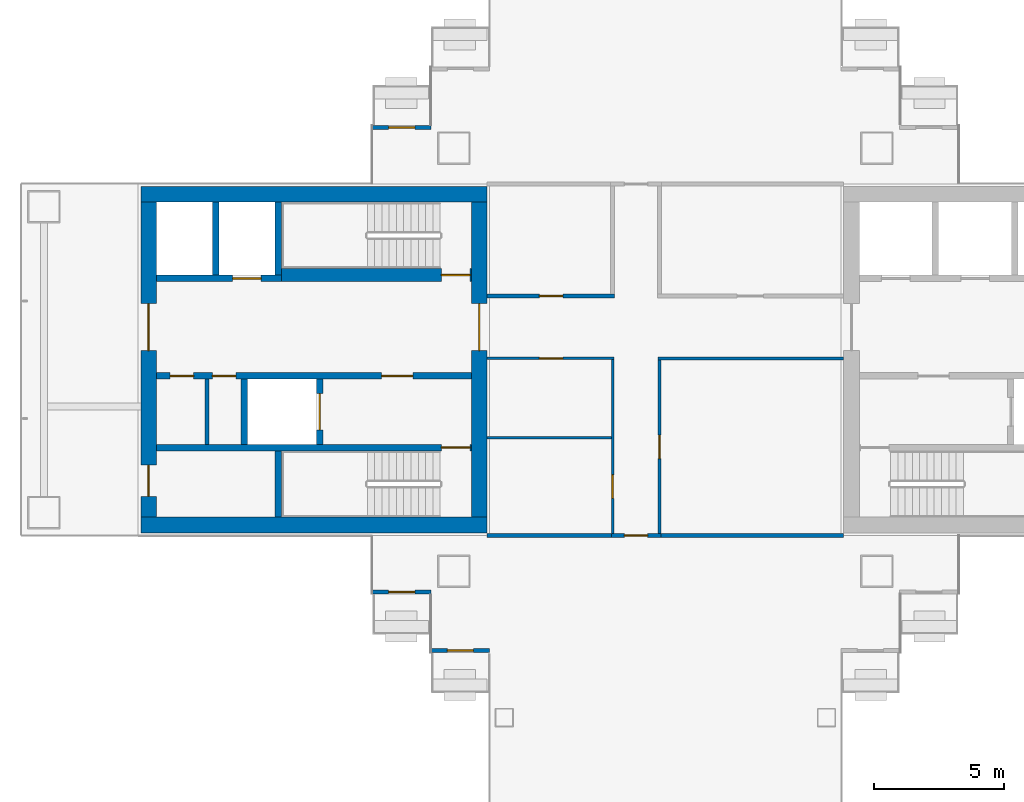
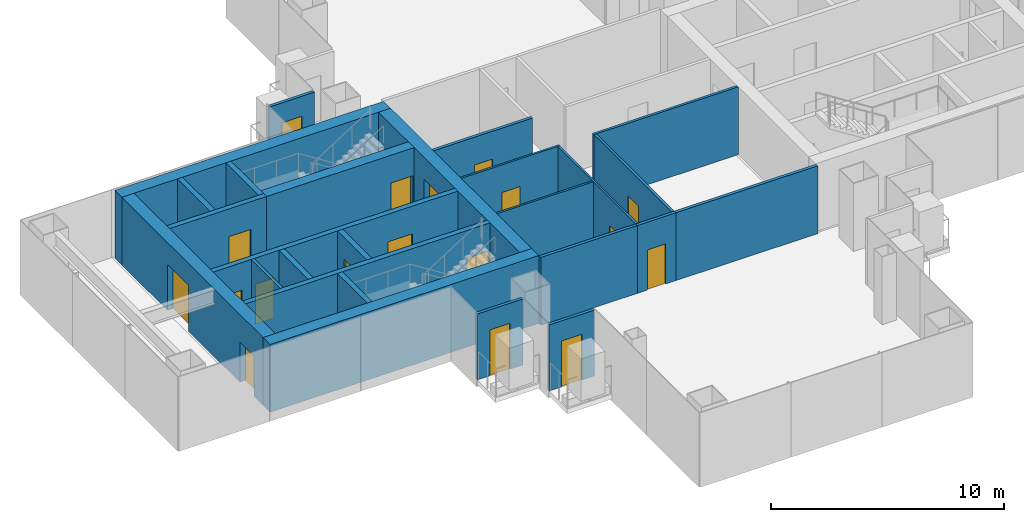
# One storey, part 11 of 19: 26 walls, 18 doors, 18 openings.
"""IFC4 building model written with IfcOpenShell, lengths in metres."""

import ifcopenshell
import ifcopenshell.guid

model = None  # the IFC model being written
_history = None  # IfcOwnerHistory: only IFC2X3 demands one
_inside = {}  # id of a spatial element -> (the spatial element, [elements in it])
_under = {}  # id of a project, library or spatial element -> (it, [spatial elements below it])
_declared = {}  # id of a project -> (the project, [libraries it declares])
_typed = {}  # id of a type object -> (the type object, [elements of that type])
_made_of = {}  # id of a material, layer set ... -> (it, [elements and type objects made of it])


def new_model(schema):
    """Start an empty IFC model of exactly this schema.

    Asked for "IFC4X3", IfcOpenShell would pick the latest addendum, in which some entities
    have other attributes; the version numbers below select the first issue.
    IFC2X3 requires an IfcOwnerHistory on every rooted entity: one is made here for all.
    """
    global model, _history
    if schema == "IFC4X3":
        model = ifcopenshell.file(schema_version=(4, 3, 0, 0))
    else:
        model = ifcopenshell.file(schema=schema)
    _inside.clear()
    _under.clear()
    _declared.clear()
    _typed.clear()
    _made_of.clear()
    _history = None
    if model.schema == "IFC2X3":
        org = make("IfcOrganization", Name="unknown")
        user = make(
            "IfcPersonAndOrganization",
            ThePerson=make("IfcPerson", FamilyName="unknown"),
            TheOrganization=org,
        )
        app = make(
            "IfcApplication",
            ApplicationDeveloper=org,
            Version="unknown",
            ApplicationFullName="unknown",
            ApplicationIdentifier="unknown",
        )
        _history = make(
            "IfcOwnerHistory",
            OwningUser=user,
            OwningApplication=app,
            ChangeAction="ADDED",
            CreationDate=0,
        )
    return model


def make(cls, **values):
    """One entity of the class cls with the attributes given. An attribute that is None is left unset."""
    return model.create_entity(
        cls, **{name: value for name, value in values.items() if value is not None}
    )


def rooted(cls, **values):
    """An entity with a GlobalId (a new one), such as an element, a storey or a relation."""
    return make(cls, GlobalId=ifcopenshell.guid.new(), OwnerHistory=_history, **values)


def si_unit(unit_type, name, prefix=None):
    """IfcSIUnit, for example si_unit("LENGTHUNIT", "METRE", prefix="MILLI")."""
    return make("IfcSIUnit", UnitType=unit_type, Prefix=prefix, Name=name)


def assignment(units):
    """IfcUnitAssignment: the units of a project."""
    return None if units is None else make("IfcUnitAssignment", Units=units)


def point(xyz):
    """IfcCartesianPoint."""
    return None if xyz is None else make("IfcCartesianPoint", Coordinates=xyz)


def direction(xyz):
    """IfcDirection."""
    return None if xyz is None else make("IfcDirection", DirectionRatios=xyz)


def frame(location, z_axis=None, x_axis=None):
    """IfcAxis2Placement3D, a coordinate frame: its origin and axes. An axis left out is left unset."""
    return make(
        "IfcAxis2Placement3D",
        Location=point(location),
        Axis=direction(z_axis),
        RefDirection=direction(x_axis),
    )


def frame_2d(location, x_axis=None):
    """IfcAxis2Placement2D, a coordinate frame in the plane: its origin and x axis."""
    return make(
        "IfcAxis2Placement2D", Location=point(location), RefDirection=direction(x_axis)
    )


def origin():
    """The frame at (0, 0, 0) with its axes left unset."""
    return frame((0.0, 0.0, 0.0))


def place(relative_to, where):
    """IfcLocalPlacement: puts the frame where relative to a parent placement (None: the world)."""
    return make(
        "IfcLocalPlacement", PlacementRelTo=relative_to, RelativePlacement=where
    )


def context(
    kind, dimensions, precision=None, world=None, true_north=None, identifier=None
):
    """IfcGeometricRepresentationContext, for example the 3D "Model" context."""
    return make(
        "IfcGeometricRepresentationContext",
        ContextIdentifier=identifier,
        ContextType=kind,
        CoordinateSpaceDimension=dimensions,
        Precision=precision,
        WorldCoordinateSystem=world,
        TrueNorth=true_north,
    )


def subcontext(parent, identifier, kind, view, scale=None):
    """IfcGeometricRepresentationSubContext, for example "Body" below "Model"."""
    return make(
        "IfcGeometricRepresentationSubContext",
        ContextIdentifier=identifier,
        ContextType=kind,
        ParentContext=parent,
        TargetScale=scale,
        TargetView=view,
    )


def project(units=None, contexts=None):
    """IfcProject with its units and contexts."""
    return rooted(
        "IfcProject",
        Name="project",
        RepresentationContexts=contexts,
        UnitsInContext=assignment(units),
    )


def spatial(cls, under=None, at=None, **own):
    """A site, building, storey or space (cls), placed at a placement, below another one or the project."""
    s = rooted(cls, ObjectPlacement=at, **own)
    if under is not None:
        _under.setdefault(under.id(), (under, []))[1].append(s)
    return s


def profile(cls, at=None, kind="AREA", **sizes):
    """A parametric profile (cls). Its sizes go by their IFC names, for example OverallWidth=200.0."""
    return make(cls, ProfileType=kind, Position=at, **sizes)


def rectangle(**sizes):
    """IfcRectangleProfileDef."""
    return profile("IfcRectangleProfileDef", **sizes)


def extrude(swept, where, along, depth):
    """IfcExtrudedAreaSolid: the profile swept, set in the frame where, extruded along a direction by depth."""
    return make(
        "IfcExtrudedAreaSolid",
        SweptArea=swept,
        Position=where,
        ExtrudedDirection=direction(along),
        Depth=depth,
    )


def shape(context_of_items, identifier, shape_type, items):
    """IfcShapeRepresentation: the items that make up one representation, for example the "Body"."""
    return make(
        "IfcShapeRepresentation",
        ContextOfItems=context_of_items,
        RepresentationIdentifier=identifier,
        RepresentationType=shape_type,
        Items=items,
    )


def material(Name=None, Category=None):
    """IfcMaterial."""
    return make("IfcMaterial", Name=Name, Category=Category)


def layer(
    of_material, thickness, ventilated=None, Name=None, Category=None, Priority=None
):
    """IfcMaterialLayer: one layer of a wall or slab, of a material (None: an air gap)."""
    return make(
        "IfcMaterialLayer",
        Material=of_material,
        LayerThickness=thickness,
        IsVentilated=ventilated,
        Name=Name,
        Category=Category,
        Priority=Priority,
    )


def layer_set(layers, Name=None):
    """IfcMaterialLayerSet."""
    return make("IfcMaterialLayerSet", MaterialLayers=layers, LayerSetName=Name)


def made_of(thing, what):
    """Note that an element or type object is made of a material, layer set ...; save() writes the relation."""
    if what is not None:
        _made_of.setdefault(what.id(), (what, []))[1].append(thing)
    return thing


def type_object(cls, material=None, **own):
    """A type object (cls), such as IfcWallType, which elements share."""
    return made_of(rooted(cls, **own), material)


def element(
    cls,
    number,
    at=None,
    inside=None,
    cuts=None,
    type_object=None,
    material=None,
    context=None,
    identifier="Body",
    shape_type=None,
    held_by="IfcProductDefinitionShape",
    body=None,
    shapes=None,
    **own,
):
    """One element of the class cls, such as IfcWall. Its Tag is "e" and its number.

    at: its placement. inside: the storey or other place that contains it. cuts: it is an
    opening in that element (IfcRelVoidsElement). A single representation is given by context,
    identifier, shape_type and body (its items); several are given by shapes. held_by: the class
    of the entity that holds the representations. save() writes the other relations.
    """
    e = rooted(cls, Tag="e%d" % number, ObjectPlacement=at, **own)
    if body is not None:
        shapes = [shape(context, identifier, shape_type, body)]
    if shapes is not None:
        e.Representation = make(held_by, Representations=shapes)
    if inside is not None:
        _inside.setdefault(inside.id(), (inside, []))[1].append(e)
    if cuts is not None:
        rooted(
            "IfcRelVoidsElement", RelatingBuildingElement=cuts, RelatedOpeningElement=e
        )
    if type_object is not None:
        _typed.setdefault(type_object.id(), (type_object, []))[1].append(e)
    return made_of(e, material)


def fill(opening, filler):
    """IfcRelFillsElement: the door or window that sits in an opening."""
    return rooted(
        "IfcRelFillsElement",
        RelatingOpeningElement=opening,
        RelatedBuildingElement=filler,
    )


def aggregate(whole, parts):
    """IfcRelAggregates: a whole, such as a stair, and the parts it consists of."""
    return rooted("IfcRelAggregates", RelatingObject=whole, RelatedObjects=parts)


def save(model, path):
    """Write the relations noted so far, then the file.

    IfcRelAggregates (storeys below a building ...), IfcRelContainedInSpatialStructure (elements
    in a storey), IfcRelDefinesByType, IfcRelAssociatesMaterial and IfcRelDeclares: one each for
    every whole, place, type object, material and project.
    """
    for whole, parts in _under.values():
        aggregate(whole, parts)
    for where, things in _inside.values():
        rooted(
            "IfcRelContainedInSpatialStructure",
            RelatedElements=things,
            RelatingStructure=where,
        )
    for kind, things in _typed.values():
        rooted("IfcRelDefinesByType", RelatedObjects=things, RelatingType=kind)
    for what, things in _made_of.values():
        rooted("IfcRelAssociatesMaterial", RelatedObjects=things, RelatingMaterial=what)
    for by, libraries in _declared.values():
        rooted("IfcRelDeclares", RelatingContext=by, RelatedDefinitions=libraries)
    model.write(path)


model = new_model("IFC4")

# Units and contexts
model_context = context("Model", 3, precision=1e-05, world=origin(), true_north=direction((0.0, 1.0)))
body_context = subcontext(model_context, "Body", "Model", "MODEL_VIEW")
ifc_project = project(units=[si_unit("LENGTHUNIT", "METRE"), si_unit("AREAUNIT", "SQUARE_METRE"), si_unit("VOLUMEUNIT", "CUBIC_METRE"), si_unit("PLANEANGLEUNIT", "RADIAN"), si_unit("MASSUNIT", "GRAM", prefix="KILO")], contexts=[model_context])

# Site, building, storey
site_placement = place(None, origin())
site = spatial("IfcSite", under=ifc_project, at=site_placement, CompositionType="ELEMENT")
building_placement = place(site_placement, origin())
building = spatial("IfcBuilding", under=site, at=building_placement, Name="Shamsa Quay Exchange Towers", CompositionType="ELEMENT")
storey_placement = place(building_placement, frame((0.0, 0.0, 85.800048828125)))
storey = spatial("IfcBuildingStorey", under=building, at=storey_placement, Name="L19", CompositionType="ELEMENT", Elevation=85.800048828125)

# Wall, opening, door
ifc_material_1 = material(Name="Aluminium EN AW-6063 T6, black anodised, with black enamelled glass infill", Category="aluminium")
ifc_layer_1 = layer(ifc_material_1, 0.14990234375)
ifc_layer_set_1 = layer_set([ifc_layer_1], Name="BALCONY DOOR BAY WALL 150")
wall_type_1 = type_object("IfcWallType", Name="BALCONY DOOR BAY WALL 150", PredefinedType="SOLIDWALL", material=ifc_layer_set_1)
wall_1_placement = place(storey_placement, frame((-45.0, 8.925048828125, 0.0)))
wall_1 = element("IfcWall", 1, at=wall_1_placement, inside=storey, type_object=wall_type_1, Name="Door bay T1-PKWN L19", PredefinedType="SOLIDWALL", context=body_context, shape_type="SweptSolid", body=[
    extrude(rectangle(XDim=2.25, YDim=0.14990234375, at=frame_2d((1.125, 0.0))), origin(), (0.0, 0.0, 1.0), 3.449951171875),
])
opening_1_placement = place(wall_1_placement, frame((0.625, 0.0, 0.0)))
opening_1 = element("IfcOpeningElement", 2, at=opening_1_placement, cuts=wall_1, Name="Opening XD118", PredefinedType="OPENING", context=body_context, shape_type="SweptSolid", body=[
    extrude(rectangle(XDim=1.0, YDim=2.39990234375, at=frame_2d((0.5, 1.199951171875))), frame((0.0, 0.0849609375, 0.0), z_axis=(0.0, -1.0, 0.0), x_axis=(1.0, 0.0, 0.0)), (0.0, 0.0, 1.0), 0.169921875),
])
ifc_material_2 = material(Name="Aluminium EN AW-6063 T6, black anodised, with laminated glass leaf", Category="aluminium")
door_type_1 = type_object("IfcDoorType", Name="BALCONY DOOR 1000x2400", OperationType="SINGLE_SWING_LEFT", PredefinedType="DOOR", material=ifc_material_2)
door_1_placement = place(opening_1_placement, origin())
door_1 = element("IfcDoor", 3, at=door_1_placement, inside=storey, type_object=door_type_1, Name="Balcony door T1-PKWN L19", OperationType="SINGLE_SWING_RIGHT", OverallHeight=2.39990234375, OverallWidth=1.0, PredefinedType="DOOR", context=body_context, shape_type="SweptSolid", body=[
    extrude(rectangle(XDim=1.0, YDim=2.39990234375, at=frame_2d((0.5, 1.199951171875))), frame((0.0, 0.02490234375, 0.0), z_axis=(0.0, -1.0, 0.0), x_axis=(1.0, 0.0, 0.0)), (0.0, 0.0, 1.0), 0.050048828125),
])
fill(opening_1, door_1)

wall_2_placement = place(storey_placement, frame((-42.75, -8.925048828125, 0.0), z_axis=(0.0, 0.0, 1.0), x_axis=(-1.0, 0.0, 0.0)))
wall_2 = element("IfcWall", 4, at=wall_2_placement, inside=storey, type_object=wall_type_1, Name="Door bay T1-PKWS L19", PredefinedType="SOLIDWALL", context=body_context, shape_type="SweptSolid", body=[
    extrude(rectangle(XDim=2.25, YDim=0.14990234375, at=frame_2d((1.125, 0.0))), origin(), (0.0, 0.0, 1.0), 3.449951171875),
])
opening_2_placement = place(wall_2_placement, frame((0.625, 0.0, 0.0)))
opening_2 = element("IfcOpeningElement", 5, at=opening_2_placement, cuts=wall_2, Name="Opening XD119", PredefinedType="OPENING", context=body_context, shape_type="SweptSolid", body=[
    extrude(rectangle(XDim=1.0, YDim=2.39990234375, at=frame_2d((0.5, 1.199951171875))), frame((0.0, 0.0849609375, 0.0), z_axis=(0.0, -1.0, 0.0), x_axis=(1.0, 0.0, 0.0)), (0.0, 0.0, 1.0), 0.169921875),
])
door_2_placement = place(opening_2_placement, origin())
door_2 = element("IfcDoor", 6, at=door_2_placement, inside=storey, type_object=door_type_1, Name="Balcony door T1-PKWS L19", OperationType="SINGLE_SWING_LEFT", OverallHeight=2.39990234375, OverallWidth=1.0, PredefinedType="DOOR", context=body_context, shape_type="SweptSolid", body=[
    extrude(rectangle(XDim=1.0, YDim=2.39990234375, at=frame_2d((0.5, 1.199951171875))), frame((0.0, 0.02490234375, 0.0), z_axis=(0.0, -1.0, 0.0), x_axis=(1.0, 0.0, 0.0)), (0.0, 0.0, 1.0), 0.050048828125),
])
fill(opening_2, door_2)

wall_3_placement = place(storey_placement, frame((-40.5, -11.175048828125, 0.0), z_axis=(0.0, 0.0, 1.0), x_axis=(-1.0, 0.0, 0.0)))
wall_3 = element("IfcWall", 7, at=wall_3_placement, inside=storey, type_object=wall_type_1, Name="Door bay T1-PKWS L19", PredefinedType="SOLIDWALL", context=body_context, shape_type="SweptSolid", body=[
    extrude(rectangle(XDim=2.25, YDim=0.14990234375, at=frame_2d((1.125, 0.0))), origin(), (0.0, 0.0, 1.0), 3.449951171875),
])
opening_3_placement = place(wall_3_placement, frame((0.625, 0.0, 0.0)))
opening_3 = element("IfcOpeningElement", 8, at=opening_3_placement, cuts=wall_3, Name="Opening XD120", PredefinedType="OPENING", context=body_context, shape_type="SweptSolid", body=[
    extrude(rectangle(XDim=1.0, YDim=2.39990234375, at=frame_2d((0.5, 1.199951171875))), frame((0.0, 0.0849609375, 0.0), z_axis=(0.0, -1.0, 0.0), x_axis=(1.0, 0.0, 0.0)), (0.0, 0.0, 1.0), 0.169921875),
])
door_3_placement = place(opening_3_placement, origin())
door_3 = element("IfcDoor", 9, at=door_3_placement, inside=storey, type_object=door_type_1, Name="Balcony door T1-PKWS L19", OperationType="SINGLE_SWING_RIGHT", OverallHeight=2.39990234375, OverallWidth=1.0, PredefinedType="DOOR", context=body_context, shape_type="SweptSolid", body=[
    extrude(rectangle(XDim=1.0, YDim=2.39990234375, at=frame_2d((0.5, 1.199951171875))), frame((0.0, 0.02490234375, 0.0), z_axis=(0.0, -1.0, 0.0), x_axis=(1.0, 0.0, 0.0)), (0.0, 0.0, 1.0), 0.050048828125),
])
fill(opening_3, door_3)

# Walls
ifc_material_3 = material(Name="Concrete C70/85", Category="concrete")
ifc_layer_2 = layer(ifc_material_3, 0.60009765625)
ifc_layer_set_2 = layer_set([ifc_layer_2], Name="CORE WALL 600 C70/85")
wall_type_2 = type_object("IfcWallType", Name="CORE WALL 600 C70/85", PredefinedType="SHEAR", material=ifc_layer_set_2)
for number, where, z_axis, x_axis, name in (
    (10, (-40.60009765625, -6.35009765625, 0.0), (0.0, 0.0, 1.0), (-1.0, 0.0, 0.0), "Core wall T1B-R08-PS"),
    (11, (-40.60009765625, 6.35009765625, 0.0), (0.0, 0.0, 1.0), (-1.0, 0.0, 0.0), "Core wall T1B-R08-PN"),
):
    element("IfcWall", number, at=place(storey_placement, frame(where, z_axis=z_axis, x_axis=x_axis)), inside=storey, type_object=wall_type_2, Name=name, PredefinedType="SHEAR", context=body_context, shape_type="SweptSolid", body=[
        extrude(rectangle(XDim=13.2998046875, YDim=0.60009765625, at=frame_2d((6.64990234375, 0.0))), origin(), (0.0, 0.0, 1.0), 3.550048828125),
    ])

# Wall, opening, door
wall_4_placement = place(storey_placement, frame((-40.89990234375, -6.050048828125, 0.0), z_axis=(0.0, 0.0, 1.0), x_axis=(0.0, 1.0, 0.0)))
wall_4 = element("IfcWall", 12, at=wall_4_placement, inside=storey, type_object=wall_type_2, Name="Core wall T1B-R08-PF", PredefinedType="SHEAR", context=body_context, shape_type="SweptSolid", body=[
    extrude(rectangle(XDim=12.10009765625, YDim=0.60009765625, at=frame_2d((6.050048828125, 0.0))), origin(), (0.0, 0.0, 1.0), 3.550048828125),
])
opening_4_placement = place(wall_4_placement, frame((6.39990234375, 0.0, 0.0)))
opening_4 = element("IfcOpeningElement", 13, at=opening_4_placement, cuts=wall_4, Name="Opening T1B-R08-LBD01", PredefinedType="OPENING", context=body_context, shape_type="SweptSolid", body=[
    extrude(rectangle(XDim=1.800048828125, YDim=2.39990234375, at=frame_2d((0.89990234375, 1.199951171875))), frame((0.0, 0.31005859375, 0.0), z_axis=(0.0, -1.0, 0.0), x_axis=(1.0, 0.0, 0.0)), (0.0, 0.0, 1.0), 0.6201171875),
])
ifc_material_4 = material(Name="Steel, fire rated", Category="steel")
door_type_2 = type_object("IfcDoorType", Name="LIFT LOBBY DOOR PAIR 1800", OperationType="DOUBLE_DOOR_SINGLE_SWING", PredefinedType="DOOR", material=ifc_material_4)
door_4_placement = place(opening_4_placement, origin())
door_4 = element("IfcDoor", 14, at=door_4_placement, inside=storey, type_object=door_type_2, Name="T1B-R08-LBD01", OperationType="DOUBLE_DOOR_SINGLE_SWING", OverallHeight=2.39990234375, OverallWidth=1.800048828125, PredefinedType="DOOR", context=body_context, shape_type="SweptSolid", body=[
    extrude(rectangle(XDim=1.800048828125, YDim=2.39990234375, at=frame_2d((0.89990234375, 1.199951171875))), frame((0.0, 0.02490234375, 0.0), z_axis=(0.0, -1.0, 0.0), x_axis=(1.0, 0.0, 0.0)), (0.0, 0.0, 1.0), 0.050048828125),
])
fill(opening_4, door_4)

# Wall, openings, doors
wall_5_placement = place(storey_placement, frame((-53.60009765625, -6.050048828125, 0.0), z_axis=(0.0, 0.0, 1.0), x_axis=(0.0, 1.0, 0.0)))
wall_5 = element("IfcWall", 15, at=wall_5_placement, inside=storey, type_object=wall_type_2, Name="Core wall T1B-R08-PB", PredefinedType="SHEAR", context=body_context, shape_type="SweptSolid", body=[
    extrude(rectangle(XDim=12.10009765625, YDim=0.60009765625, at=frame_2d((6.050048828125, 0.0))), origin(), (0.0, 0.0, 1.0), 3.550048828125),
])
opening_5_placement = place(wall_5_placement, frame((0.800048828125, 0.0, 0.0)))
opening_5 = element("IfcOpeningElement", 16, at=opening_5_placement, cuts=wall_5, Name="Opening T1B-R08-RD02", PredefinedType="OPENING", context=body_context, shape_type="SweptSolid", body=[
    extrude(rectangle(XDim=1.199951171875, YDim=2.10009765625, at=frame_2d((0.60009765625, 1.050048828125))), frame((0.0, 0.31005859375, 0.0), z_axis=(0.0, -1.0, 0.0), x_axis=(1.0, 0.0, 0.0)), (0.0, 0.0, 1.0), 0.6201171875),
])
opening_6_placement = place(wall_5_placement, frame((6.39990234375, 0.0, 0.0)))
opening_6 = element("IfcOpeningElement", 17, at=opening_6_placement, cuts=wall_5, Name="Opening T1B-R08-LBD03", PredefinedType="OPENING", context=body_context, shape_type="SweptSolid", body=[
    extrude(rectangle(XDim=1.800048828125, YDim=2.39990234375, at=frame_2d((0.89990234375, 1.199951171875))), frame((0.0, 0.31005859375, 0.0), z_axis=(0.0, -1.0, 0.0), x_axis=(1.0, 0.0, 0.0)), (0.0, 0.0, 1.0), 0.6201171875),
])
door_5_placement = place(opening_6_placement, origin())
door_5 = element("IfcDoor", 18, at=door_5_placement, inside=storey, type_object=door_type_2, Name="T1B-R08-LBD03", OperationType="DOUBLE_DOOR_SINGLE_SWING", OverallHeight=2.39990234375, OverallWidth=1.800048828125, PredefinedType="DOOR", context=body_context, shape_type="SweptSolid", body=[
    extrude(rectangle(XDim=1.800048828125, YDim=2.39990234375, at=frame_2d((0.89990234375, 1.199951171875))), frame((0.0, 0.02490234375, 0.0), z_axis=(0.0, -1.0, 0.0), x_axis=(1.0, 0.0, 0.0)), (0.0, 0.0, 1.0), 0.050048828125),
])
fill(opening_6, door_5)
door_type_3 = type_object("IfcDoorType", Name="RISER ACCESS DOOR 1200", OperationType="SINGLE_SWING_LEFT", PredefinedType="DOOR", material=ifc_material_4)
door_6_placement = place(opening_5_placement, origin())
door_6 = element("IfcDoor", 19, at=door_6_placement, inside=storey, type_object=door_type_3, Name="T1B-R08-RD02", OperationType="SINGLE_SWING_LEFT", OverallHeight=2.10009765625, OverallWidth=1.199951171875, PredefinedType="DOOR", context=body_context, shape_type="SweptSolid", body=[
    extrude(rectangle(XDim=1.199951171875, YDim=2.10009765625, at=frame_2d((0.60009765625, 1.050048828125))), frame((0.0, 0.02490234375, 0.0), z_axis=(0.0, -1.0, 0.0), x_axis=(1.0, 0.0, 0.0)), (0.0, 0.0, 1.0), 0.050048828125),
])
fill(opening_5, door_6)

# Walls
ifc_material_5 = material(Name="Gypsum board on steel studs, EI 60", Category="steel")
ifc_layer_3 = layer(ifc_material_5, 0.14990234375)
ifc_layer_set_3 = layer_set([ifc_layer_3], Name="FIRE PARTITION 150")
wall_type_3 = type_object("IfcWallType", Name="FIRE PARTITION 150", PredefinedType="PARTITIONING", material=ifc_layer_set_3)
wall_6_placement = place(storey_placement, frame((-51.35009765625, -3.25, 0.0), z_axis=(0.0, 0.0, 1.0), x_axis=(0.0, 1.0, 0.0)))
element("IfcWall", 20, at=wall_6_placement, inside=storey, type_object=wall_type_3, Name="Partition T1B-R08-EC0", PredefinedType="PARTITIONING", context=body_context, shape_type="SweptSolid", body=[
    extrude(rectangle(XDim=2.5, YDim=0.14990234375, at=frame_2d((1.25, 0.0))), origin(), (0.0, 0.0, 1.0), 3.550048828125),
])
ifc_material_6 = material(Name="Laminated fire-resisting glass in a metal frame", Category="glass")
ifc_layer_4 = layer(ifc_material_6, 0.125)
ifc_layer_set_4 = layer_set([ifc_layer_4], Name="Glazed partition 125 mm EI 60")
wall_type_4 = type_object("IfcWallType", Name="Glazed partition 125 mm EI 60", PredefinedType="PARTITIONING", material=ifc_layer_set_4)
wall_7_placement = place(storey_placement, frame((-26.89990234375, 0.0498046875, 0.0), z_axis=(0.0, 0.0, 1.0), x_axis=(-1.0, 0.0, 0.0)))
element("IfcWall", 21, at=wall_7_placement, inside=storey, type_object=wall_type_4, Name="Partition T1-R08-W04", PredefinedType="PARTITIONING", context=body_context, shape_type="SweptSolid", body=[
    extrude(rectangle(XDim=7.13720703125, YDim=0.125, at=frame_2d((3.568603515625, 0.0))), origin(), (0.0, 0.0, 1.0), 3.550048828125),
])

# Wall, opening, door
wall_8_placement = place(storey_placement, frame((-33.974609375, -0.0126953125, 0.0), z_axis=(0.0, 0.0, 1.0), x_axis=(0.0, -1.0, 0.0)))
wall_8 = element("IfcWall", 22, at=wall_8_placement, inside=storey, type_object=wall_type_4, Name="Partition T1-R08-W05", PredefinedType="PARTITIONING", context=body_context, shape_type="SweptSolid", body=[
    extrude(rectangle(XDim=6.662353515625, YDim=0.125, at=frame_2d((3.3310546875, 0.0))), origin(), (0.0, 0.0, 1.0), 3.550048828125),
])
opening_7_placement = place(wall_8_placement, frame((2.887451171875, 0.0, 0.0)))
opening_7 = element("IfcOpeningElement", 23, at=opening_7_placement, cuts=wall_8, Name="Opening T1-R08-D06", PredefinedType="OPENING", context=body_context, shape_type="SweptSolid", body=[
    extrude(rectangle(XDim=0.89990234375, YDim=2.10009765625, at=frame_2d((0.449951171875, 1.050048828125))), frame((0.0, 0.072509765625, 0.0), z_axis=(0.0, -1.0, 0.0), x_axis=(1.0, 0.0, 0.0)), (0.0, 0.0, 1.0), 0.14501953125),
])
ifc_material_7 = material(Name="Timber door leaf in a metal frame", Category="wood")
door_type_4 = type_object("IfcDoorType", Name="Door 900x2100 FD30S", OperationType="NOTDEFINED", PredefinedType="DOOR", material=ifc_material_7)
door_7_placement = place(opening_7_placement, origin())
door_7 = element("IfcDoor", 24, at=door_7_placement, inside=storey, type_object=door_type_4, Name="Door T1-R08-D06", OperationType="SINGLE_SWING_RIGHT", OverallHeight=2.10009765625, OverallWidth=0.89990234375, PredefinedType="DOOR", context=body_context, shape_type="SweptSolid", body=[
    extrude(rectangle(XDim=0.89990234375, YDim=2.10009765625, at=frame_2d((0.449951171875, 1.050048828125))), frame((0.0, 0.02490234375, 0.0), z_axis=(0.0, -1.0, 0.0), x_axis=(1.0, 0.0, 0.0)), (0.0, 0.0, 1.0), 0.050048828125),
])
fill(opening_7, door_7)

ifc_material_8 = material(Name="Gypsum board partition on metal studs")
ifc_layer_5 = layer(ifc_material_8, 0.10009765625)
ifc_layer_set_5 = layer_set([ifc_layer_5], Name="Partition 100 mm NOT RATED")
wall_type_5 = type_object("IfcWallType", Name="Partition 100 mm NOT RATED", PredefinedType="PARTITIONING", material=ifc_layer_set_5)
wall_9_placement = place(storey_placement, frame((-35.775390625, -6.675048828125, 0.0), z_axis=(0.0, 0.0, 1.0), x_axis=(0.0, 1.0, 0.0)))
wall_9 = element("IfcWall", 25, at=wall_9_placement, inside=storey, type_object=wall_type_5, Name="Partition T1-R08-W07", PredefinedType="PARTITIONING", context=body_context, shape_type="SweptSolid", body=[
    extrude(rectangle(XDim=6.6748046875, YDim=0.10009765625, at=frame_2d((3.33740234375, 0.0))), origin(), (0.0, 0.0, 1.0), 3.550048828125),
])
opening_8_placement = place(wall_9_placement, frame((1.35009765625, 0.0, 0.0)))
opening_8 = element("IfcOpeningElement", 26, at=opening_8_placement, cuts=wall_9, Name="Opening T1-R08-D02", PredefinedType="OPENING", context=body_context, shape_type="SweptSolid", body=[
    extrude(rectangle(XDim=0.89990234375, YDim=2.10009765625, at=frame_2d((0.449951171875, 1.050048828125))), frame((0.0, 0.06005859375, 0.0), z_axis=(0.0, -1.0, 0.0), x_axis=(1.0, 0.0, 0.0)), (0.0, 0.0, 1.0), 0.1201171875),
])
door_type_5 = type_object("IfcDoorType", Name="Door 900x2100 NOT RATED", OperationType="NOTDEFINED", PredefinedType="DOOR", material=ifc_material_7)
door_8_placement = place(opening_8_placement, origin())
door_8 = element("IfcDoor", 27, at=door_8_placement, inside=storey, type_object=door_type_5, Name="Door T1-R08-D02", OperationType="SINGLE_SWING_RIGHT", OverallHeight=2.10009765625, OverallWidth=0.89990234375, PredefinedType="DOOR", context=body_context, shape_type="SweptSolid", body=[
    extrude(rectangle(XDim=0.89990234375, YDim=2.10009765625, at=frame_2d((0.449951171875, 1.050048828125))), frame((0.0, 0.02490234375, 0.0), z_axis=(0.0, -1.0, 0.0), x_axis=(1.0, 0.0, 0.0)), (0.0, 0.0, 1.0), 0.050048828125),
])
fill(opening_8, door_8)

wall_10_placement = place(storey_placement, frame((-35.725341796875, 0.0498046875, 0.0), z_axis=(0.0, 0.0, 1.0), x_axis=(-1.0, 0.0, 0.0)))
wall_10 = element("IfcWall", 28, at=wall_10_placement, inside=storey, type_object=wall_type_5, Name="Partition T1-R08-W08", PredefinedType="PARTITIONING", context=body_context, shape_type="SweptSolid", body=[
    extrude(rectangle(XDim=4.874755859375, YDim=0.10009765625, at=frame_2d((2.4375, 0.0))), origin(), (0.0, 0.0, 1.0), 3.550048828125),
])
opening_9_placement = place(wall_10_placement, frame((1.96240234375, 0.0, 0.0)))
opening_9 = element("IfcOpeningElement", 29, at=opening_9_placement, cuts=wall_10, Name="Opening T1-R08-D03", PredefinedType="OPENING", context=body_context, shape_type="SweptSolid", body=[
    extrude(rectangle(XDim=0.89990234375, YDim=2.10009765625, at=frame_2d((0.449951171875, 1.050048828125))), frame((0.0, 0.06005859375, 0.0), z_axis=(0.0, -1.0, 0.0), x_axis=(1.0, 0.0, 0.0)), (0.0, 0.0, 1.0), 0.1201171875),
])
door_9_placement = place(opening_9_placement, origin())
door_9 = element("IfcDoor", 30, at=door_9_placement, inside=storey, type_object=door_type_5, Name="Door T1-R08-D03", OperationType="SINGLE_SWING_RIGHT", OverallHeight=2.10009765625, OverallWidth=0.89990234375, PredefinedType="DOOR", context=body_context, shape_type="SweptSolid", body=[
    extrude(rectangle(XDim=0.89990234375, YDim=2.10009765625, at=frame_2d((0.449951171875, 1.050048828125))), frame((0.0, 0.02490234375, 0.0), z_axis=(0.0, -1.0, 0.0), x_axis=(1.0, 0.0, 0.0)), (0.0, 0.0, 1.0), 0.050048828125),
])
fill(opening_9, door_9)

# Wall
wall_11_placement = place(storey_placement, frame((-35.825439453125, -3.0, 0.0), z_axis=(0.0, 0.0, 1.0), x_axis=(-1.0, 0.0, 0.0)))
element("IfcWall", 31, at=wall_11_placement, inside=storey, type_object=wall_type_5, Name="Partition T1-R08-W16", PredefinedType="PARTITIONING", context=body_context, shape_type="SweptSolid", body=[
    extrude(rectangle(XDim=4.774658203125, YDim=0.10009765625, at=frame_2d((2.38720703125, 0.0))), origin(), (0.0, 0.0, 1.0), 3.550048828125),
])

# Wall, opening, door
ifc_layer_6 = layer(ifc_material_8, 0.14990234375)
ifc_layer_set_6 = layer_set([ifc_layer_6], Name="Partition 150 mm EI 60")
wall_type_6 = type_object("IfcWallType", Name="Partition 150 mm EI 60", PredefinedType="PARTITIONING", material=ifc_layer_set_6)
wall_12_placement = place(storey_placement, frame((-40.60009765625, 2.4501953125, 0.0)))
wall_12 = element("IfcWall", 32, at=wall_12_placement, inside=storey, type_object=wall_type_6, Name="Partition T1-R08-W02", PredefinedType="PARTITIONING", context=body_context, shape_type="SweptSolid", body=[
    extrude(rectangle(XDim=4.899658203125, YDim=0.14990234375, at=frame_2d((2.44970703125, 0.0))), origin(), (0.0, 0.0, 1.0), 3.550048828125),
])
opening_10_placement = place(wall_12_placement, frame((2.01220703125, 0.0, 0.0)))
opening_10 = element("IfcOpeningElement", 33, at=opening_10_placement, cuts=wall_12, Name="Opening T1-R08-D01", PredefinedType="OPENING", context=body_context, shape_type="SweptSolid", body=[
    extrude(rectangle(XDim=0.89990234375, YDim=2.10009765625, at=frame_2d((0.449951171875, 1.050048828125))), frame((0.0, 0.0849609375, 0.0), z_axis=(0.0, -1.0, 0.0), x_axis=(1.0, 0.0, 0.0)), (0.0, 0.0, 1.0), 0.169921875),
])
door_10_placement = place(opening_10_placement, origin())
door_10 = element("IfcDoor", 34, at=door_10_placement, inside=storey, type_object=door_type_4, Name="Door T1-R08-D01", OperationType="SINGLE_SWING_LEFT", OverallHeight=2.10009765625, OverallWidth=0.89990234375, PredefinedType="DOOR", context=body_context, shape_type="SweptSolid", body=[
    extrude(rectangle(XDim=0.89990234375, YDim=2.10009765625, at=frame_2d((0.449951171875, 1.050048828125))), frame((0.0, 0.02490234375, 0.0), z_axis=(0.0, -1.0, 0.0), x_axis=(1.0, 0.0, 0.0)), (0.0, 0.0, 1.0), 0.050048828125),
])
fill(opening_10, door_10)

wall_13_placement = place(storey_placement, frame((-33.912109375, -6.75, 0.0), z_axis=(0.0, 0.0, 1.0), x_axis=(-1.0, 0.0, 0.0)))
wall_13 = element("IfcWall", 35, at=wall_13_placement, inside=storey, type_object=wall_type_6, Name="Partition T1-R08-W10", PredefinedType="PARTITIONING", context=body_context, shape_type="SweptSolid", body=[
    extrude(rectangle(XDim=1.913330078125, YDim=0.14990234375, at=frame_2d((0.95654296875, 0.0))), origin(), (0.0, 0.0, 1.0), 3.550048828125),
])
opening_11_placement = place(wall_13_placement, frame((0.512939453125, 0.0, 0.0)))
opening_11 = element("IfcOpeningElement", 36, at=opening_11_placement, cuts=wall_13, Name="Opening T1-R08-D05", PredefinedType="OPENING", context=body_context, shape_type="SweptSolid", body=[
    extrude(rectangle(XDim=0.89990234375, YDim=2.10009765625, at=frame_2d((0.449951171875, 1.050048828125))), frame((0.0, 0.0849609375, 0.0), z_axis=(0.0, -1.0, 0.0), x_axis=(1.0, 0.0, 0.0)), (0.0, 0.0, 1.0), 0.169921875),
])
door_11_placement = place(opening_11_placement, origin())
door_11 = element("IfcDoor", 37, at=door_11_placement, inside=storey, type_object=door_type_4, Name="Door T1-R08-D05", OperationType="SINGLE_SWING_RIGHT", OverallHeight=2.10009765625, OverallWidth=0.89990234375, PredefinedType="DOOR", context=body_context, shape_type="SweptSolid", body=[
    extrude(rectangle(XDim=0.89990234375, YDim=2.10009765625, at=frame_2d((0.449951171875, 1.050048828125))), frame((0.0, 0.02490234375, 0.0), z_axis=(0.0, -1.0, 0.0), x_axis=(1.0, 0.0, 0.0)), (0.0, 0.0, 1.0), 0.050048828125),
])
fill(opening_11, door_11)

# Walls
wall_14_placement = place(storey_placement, frame((-40.60009765625, -6.75, 0.0)))
element("IfcWall", 38, at=wall_14_placement, inside=storey, type_object=wall_type_6, Name="Partition T1-R08-W14", PredefinedType="PARTITIONING", context=body_context, shape_type="SweptSolid", body=[
    extrude(rectangle(XDim=4.874755859375, YDim=0.14990234375, at=frame_2d((2.4375, 0.0))), origin(), (0.0, 0.0, 1.0), 3.550048828125),
])
wall_15_placement = place(storey_placement, frame((-34.037109375, -6.75, 0.0)))
element("IfcWall", 39, at=wall_15_placement, inside=storey, type_object=wall_type_6, Name="Partition T1-R08-W15", PredefinedType="PARTITIONING", context=body_context, shape_type="SweptSolid", body=[
    extrude(rectangle(XDim=7.13720703125, YDim=0.14990234375, at=frame_2d((3.568603515625, 0.0))), origin(), (0.0, 0.0, 1.0), 3.550048828125),
])

# Wall, opening, door
ifc_material_9 = material(Name="Concrete C50/60", Category="concrete")
ifc_layer_7 = layer(ifc_material_9, 0.25)
ifc_layer_set_7 = layer_set([ifc_layer_7], Name="SHAFT WALL 250 C50/60")
wall_type_7 = type_object("IfcWallType", Name="SHAFT WALL 250 C50/60", PredefinedType="SHEAR", material=ifc_layer_set_7)
wall_16_placement = place(storey_placement, frame((-41.199951171875, -3.375, 0.0), z_axis=(0.0, 0.0, 1.0), x_axis=(-1.0, 0.0, 0.0)))
wall_16 = element("IfcWall", 40, at=wall_16_placement, inside=storey, type_object=wall_type_7, Name="Shaft wall T1B-R08-STL", PredefinedType="SHEAR", context=body_context, shape_type="SweptSolid", body=[
    extrude(rectangle(XDim=12.10009765625, YDim=0.25, at=frame_2d((6.050048828125, 0.0))), origin(), (0.0, 0.0, 1.0), 3.550048828125),
])
opening_12_placement = place(wall_16_placement, frame((0.050048828125, 0.0, 0.0)))
opening_12 = element("IfcOpeningElement", 41, at=opening_12_placement, cuts=wall_16, Name="Opening T1B-R08-SD04", PredefinedType="OPENING", context=body_context, shape_type="SweptSolid", body=[
    extrude(rectangle(XDim=1.10009765625, YDim=2.10009765625, at=frame_2d((0.550048828125, 1.050048828125))), frame((0.0, 0.135009765625, 0.0), z_axis=(0.0, -1.0, 0.0), x_axis=(1.0, 0.0, 0.0)), (0.0, 0.0, 1.0), 0.27001953125),
])
door_type_6 = type_object("IfcDoorType", Name="STAIR DOOR 1100", OperationType="SINGLE_SWING_LEFT", PredefinedType="DOOR", material=ifc_material_4)
door_12_placement = place(opening_12_placement, origin())
door_12 = element("IfcDoor", 42, at=door_12_placement, inside=storey, type_object=door_type_6, Name="T1B-R08-SD04", OperationType="SINGLE_SWING_LEFT", OverallHeight=2.10009765625, OverallWidth=1.10009765625, PredefinedType="DOOR", context=body_context, shape_type="SweptSolid", body=[
    extrude(rectangle(XDim=1.10009765625, YDim=2.10009765625, at=frame_2d((0.550048828125, 1.050048828125))), frame((0.0, 0.02490234375, 0.0), z_axis=(0.0, -1.0, 0.0), x_axis=(1.0, 0.0, 0.0)), (0.0, 0.0, 1.0), 0.050048828125),
])
fill(opening_12, door_12)

# Wall
wall_17_placement = place(storey_placement, frame((-48.625, -6.050048828125, 0.0), z_axis=(0.0, 0.0, 1.0), x_axis=(0.0, 1.0, 0.0)))
element("IfcWall", 43, at=wall_17_placement, inside=storey, type_object=wall_type_7, Name="Shaft wall T1B-R08-STF", PredefinedType="SHEAR", context=body_context, shape_type="SweptSolid", body=[
    extrude(rectangle(XDim=2.550048828125, YDim=0.25, at=frame_2d((1.27490234375, 0.0))), origin(), (0.0, 0.0, 1.0), 3.550048828125),
])

# Wall, openings, doors
wall_18_placement = place(storey_placement, frame((-41.199951171875, -0.625, 0.0), z_axis=(0.0, 0.0, 1.0), x_axis=(-1.0, 0.0, 0.0)))
wall_18 = element("IfcWall", 44, at=wall_18_placement, inside=storey, type_object=wall_type_7, Name="Shaft wall T1B-R08-B", PredefinedType="SHEAR", context=body_context, shape_type="SweptSolid", body=[
    extrude(rectangle(XDim=12.10009765625, YDim=0.25, at=frame_2d((6.050048828125, 0.0))), origin(), (0.0, 0.0, 1.0), 3.550048828125),
])
opening_13_placement = place(wall_18_placement, frame((2.25, 0.0, 0.0)))
opening_13 = element("IfcOpeningElement", 45, at=opening_13_placement, cuts=wall_18, Name="Opening T1B-R08-FD05", PredefinedType="OPENING", context=body_context, shape_type="SweptSolid", body=[
    extrude(rectangle(XDim=1.199951171875, YDim=2.10009765625, at=frame_2d((0.60009765625, 1.050048828125))), frame((0.0, 0.135009765625, 0.0), z_axis=(0.0, -1.0, 0.0), x_axis=(1.0, 0.0, 0.0)), (0.0, 0.0, 1.0), 0.27001953125),
])
opening_14_placement = place(wall_18_placement, frame((9.050048828125, 0.0, 0.0)))
opening_14 = element("IfcOpeningElement", 46, at=opening_14_placement, cuts=wall_18, Name="Opening T1B-R08-SV06", PredefinedType="OPENING", context=body_context, shape_type="SweptSolid", body=[
    extrude(rectangle(XDim=0.89990234375, YDim=2.10009765625, at=frame_2d((0.449951171875, 1.050048828125))), frame((0.0, 0.135009765625, 0.0), z_axis=(0.0, -1.0, 0.0), x_axis=(1.0, 0.0, 0.0)), (0.0, 0.0, 1.0), 0.27001953125),
])
opening_15_placement = place(wall_18_placement, frame((10.675048828125, 0.0, 0.0)))
opening_15 = element("IfcOpeningElement", 47, at=opening_15_placement, cuts=wall_18, Name="Opening T1B-R08-SV07", PredefinedType="OPENING", context=body_context, shape_type="SweptSolid", body=[
    extrude(rectangle(XDim=0.89990234375, YDim=2.10009765625, at=frame_2d((0.449951171875, 1.050048828125))), frame((0.0, 0.135009765625, 0.0), z_axis=(0.0, -1.0, 0.0), x_axis=(1.0, 0.0, 0.0)), (0.0, 0.0, 1.0), 0.27001953125),
])
door_type_7 = type_object("IfcDoorType", Name="FIRE SERVICE LOBBY DOOR 1200", OperationType="SINGLE_SWING_LEFT", PredefinedType="DOOR", material=ifc_material_4)
door_13_placement = place(opening_13_placement, origin())
door_13 = element("IfcDoor", 48, at=door_13_placement, inside=storey, type_object=door_type_7, Name="T1B-R08-FD05", OperationType="SINGLE_SWING_LEFT", OverallHeight=2.10009765625, OverallWidth=1.199951171875, PredefinedType="DOOR", context=body_context, shape_type="SweptSolid", body=[
    extrude(rectangle(XDim=1.199951171875, YDim=2.10009765625, at=frame_2d((0.60009765625, 1.050048828125))), frame((0.0, 0.02490234375, 0.0), z_axis=(0.0, -1.0, 0.0), x_axis=(1.0, 0.0, 0.0)), (0.0, 0.0, 1.0), 0.050048828125),
])
fill(opening_13, door_13)
door_type_8 = type_object("IfcDoorType", Name="SERVICE ROOM DOOR 900", OperationType="SINGLE_SWING_LEFT", PredefinedType="DOOR", material=ifc_material_4)
door_14_placement = place(opening_14_placement, origin())
door_14 = element("IfcDoor", 49, at=door_14_placement, inside=storey, type_object=door_type_8, Name="T1B-R08-SV06", OperationType="SINGLE_SWING_RIGHT", OverallHeight=2.10009765625, OverallWidth=0.89990234375, PredefinedType="DOOR", context=body_context, shape_type="SweptSolid", body=[
    extrude(rectangle(XDim=0.89990234375, YDim=2.10009765625, at=frame_2d((0.449951171875, 1.050048828125))), frame((0.0, 0.02490234375, 0.0), z_axis=(0.0, -1.0, 0.0), x_axis=(1.0, 0.0, 0.0)), (0.0, 0.0, 1.0), 0.050048828125),
])
fill(opening_14, door_14)
door_15_placement = place(opening_15_placement, origin())
door_15 = element("IfcDoor", 50, at=door_15_placement, inside=storey, type_object=door_type_8, Name="T1B-R08-SV07", OperationType="SINGLE_SWING_RIGHT", OverallHeight=2.10009765625, OverallWidth=0.89990234375, PredefinedType="DOOR", context=body_context, shape_type="SweptSolid", body=[
    extrude(rectangle(XDim=0.89990234375, YDim=2.10009765625, at=frame_2d((0.449951171875, 1.050048828125))), frame((0.0, 0.02490234375, 0.0), z_axis=(0.0, -1.0, 0.0), x_axis=(1.0, 0.0, 0.0)), (0.0, 0.0, 1.0), 0.050048828125),
])
fill(opening_15, door_15)

# Wall, opening, door
wall_19_placement = place(storey_placement, frame((-47.02490234375, -3.25, 0.0), z_axis=(0.0, 0.0, 1.0), x_axis=(0.0, 1.0, 0.0)))
wall_19 = element("IfcWall", 51, at=wall_19_placement, inside=storey, type_object=wall_type_7, Name="Shaft wall T1B-R08-FFF", PredefinedType="SHEAR", context=body_context, shape_type="SweptSolid", body=[
    extrude(rectangle(XDim=2.5, YDim=0.25, at=frame_2d((1.25, 0.0))), origin(), (0.0, 0.0, 1.0), 3.550048828125),
])
opening_16_placement = place(wall_19_placement, frame((0.550048828125, 0.0, 0.0)))
opening_16 = element("IfcOpeningElement", 52, at=opening_16_placement, cuts=wall_19, Name="Opening T1B-R08-LDG08", PredefinedType="OPENING", context=body_context, shape_type="SweptSolid", body=[
    extrude(rectangle(XDim=1.39990234375, YDim=2.39990234375, at=frame_2d((0.699951171875, 1.199951171875))), frame((0.0, 0.135009765625, 0.0), z_axis=(0.0, -1.0, 0.0), x_axis=(1.0, 0.0, 0.0)), (0.0, 0.0, 1.0), 0.27001953125),
])
door_type_9 = type_object("IfcDoorType", Name="GOODS LIFT LANDING DOOR 1400", OperationType="SLIDING_TO_LEFT", PredefinedType="DOOR", material=ifc_material_4)
door_16_placement = place(opening_16_placement, origin())
door_16 = element("IfcDoor", 53, at=door_16_placement, inside=storey, type_object=door_type_9, Name="T1B-R08-LDG08", OperationType="SLIDING_TO_LEFT", OverallHeight=2.39990234375, OverallWidth=1.39990234375, PredefinedType="DOOR", context=body_context, shape_type="SweptSolid", body=[
    extrude(rectangle(XDim=1.39990234375, YDim=2.39990234375, at=frame_2d((0.699951171875, 1.199951171875))), frame((0.0, 0.02490234375, 0.0), z_axis=(0.0, -1.0, 0.0), x_axis=(1.0, 0.0, 0.0)), (0.0, 0.0, 1.0), 0.050048828125),
])
fill(opening_16, door_16)

# Wall
wall_20_placement = place(storey_placement, frame((-49.925048828125, -3.25, 0.0), z_axis=(0.0, 0.0, 1.0), x_axis=(0.0, 1.0, 0.0)))
element("IfcWall", 54, at=wall_20_placement, inside=storey, type_object=wall_type_7, Name="Shaft wall T1B-R08-FFB", PredefinedType="SHEAR", context=body_context, shape_type="SweptSolid", body=[
    extrude(rectangle(XDim=2.5, YDim=0.25, at=frame_2d((1.25, 0.0))), origin(), (0.0, 0.0, 1.0), 3.550048828125),
])

# Wall, opening, door
wall_21_placement = place(storey_placement, frame((-48.5, 3.125, 0.0), z_axis=(0.0, 0.0, 1.0), x_axis=(-1.0, 0.0, 0.0)))
wall_21 = element("IfcWall", 55, at=wall_21_placement, inside=storey, type_object=wall_type_7, Name="Shaft wall T1B-R08-N2", PredefinedType="SHEAR", context=body_context, shape_type="SweptSolid", body=[
    extrude(rectangle(XDim=4.800048828125, YDim=0.25, at=frame_2d((2.39990234375, 0.0))), origin(), (0.0, 0.0, 1.0), 3.550048828125),
])
opening_17_placement = place(wall_21_placement, frame((0.77490234375, 0.0, 0.0)))
opening_17 = element("IfcOpeningElement", 56, at=opening_17_placement, cuts=wall_21, Name="Opening T1B-R08-LD10", PredefinedType="OPENING", context=body_context, shape_type="SweptSolid", body=[
    extrude(rectangle(XDim=1.10009765625, YDim=2.10009765625, at=frame_2d((0.550048828125, 1.050048828125))), frame((0.0, 0.135009765625, 0.0), z_axis=(0.0, -1.0, 0.0), x_axis=(1.0, 0.0, 0.0)), (0.0, 0.0, 1.0), 0.27001953125),
])
door_type_10 = type_object("IfcDoorType", Name="LANDING DOOR 1100", OperationType="SLIDING_TO_LEFT", PredefinedType="DOOR", material=ifc_material_4)
door_17_placement = place(opening_17_placement, origin())
door_17 = element("IfcDoor", 57, at=door_17_placement, inside=storey, type_object=door_type_10, Name="T1B-R08-LD10", OperationType="SLIDING_TO_LEFT", OverallHeight=2.10009765625, OverallWidth=1.10009765625, PredefinedType="DOOR", context=body_context, shape_type="SweptSolid", body=[
    extrude(rectangle(XDim=1.10009765625, YDim=2.10009765625, at=frame_2d((0.550048828125, 1.050048828125))), frame((0.0, 0.02490234375, 0.0), z_axis=(0.0, -1.0, 0.0), x_axis=(1.0, 0.0, 0.0)), (0.0, 0.0, 1.0), 0.050048828125),
])
fill(opening_17, door_17)

# Walls
for number, where, z_axis, x_axis, name in (
    (58, (-48.625, 3.25, 0.0), (0.0, 0.0, 1.0), (0.0, 1.0, 0.0), "Shaft wall T1B-R08-STF2"),
    (59, (-51.02490234375, 3.25, 0.0), (0.0, 0.0, 1.0), (0.0, 1.0, 0.0), "Shaft wall T1B-R08-D0"),
):
    element("IfcWall", number, at=place(storey_placement, frame(where, z_axis=z_axis, x_axis=x_axis)), inside=storey, type_object=wall_type_7, Name=name, PredefinedType="SHEAR", context=body_context, shape_type="SweptSolid", body=[
        extrude(rectangle(XDim=2.800048828125, YDim=0.25, at=frame_2d((1.39990234375, 0.0))), origin(), (0.0, 0.0, 1.0), 3.550048828125),
    ])

# Wall, opening, door
ifc_layer_8 = layer(ifc_material_9, 0.5)
ifc_layer_set_8 = layer_set([ifc_layer_8], Name="SHAFT WALL 500 C50/60")
wall_type_8 = type_object("IfcWallType", Name="SHAFT WALL 500 C50/60", PredefinedType="SHEAR", material=ifc_layer_set_8)
wall_22_placement = place(storey_placement, frame((-48.5, 3.25, 0.0)))
wall_22 = element("IfcWall", 60, at=wall_22_placement, inside=storey, type_object=wall_type_8, Name="Shaft wall T1B-R08-N", PredefinedType="SHEAR", context=body_context, shape_type="SweptSolid", body=[
    extrude(rectangle(XDim=7.300048828125, YDim=0.5, at=frame_2d((3.64990234375, 0.0))), origin(), (0.0, 0.0, 1.0), 3.550048828125),
])
opening_18_placement = place(wall_22_placement, frame((6.14990234375, 0.0, 0.0)))
opening_18 = element("IfcOpeningElement", 61, at=opening_18_placement, cuts=wall_22, Name="Opening T1B-R08-SD09", PredefinedType="OPENING", context=body_context, shape_type="SweptSolid", body=[
    extrude(rectangle(XDim=1.10009765625, YDim=2.10009765625, at=frame_2d((0.550048828125, 1.050048828125))), frame((0.0, 0.260009765625, 0.0), z_axis=(0.0, -1.0, 0.0), x_axis=(1.0, 0.0, 0.0)), (0.0, 0.0, 1.0), 0.52001953125),
])
door_18_placement = place(opening_18_placement, origin())
door_18 = element("IfcDoor", 62, at=door_18_placement, inside=storey, type_object=door_type_6, Name="T1B-R08-SD09", OperationType="SINGLE_SWING_RIGHT", OverallHeight=2.10009765625, OverallWidth=1.10009765625, PredefinedType="DOOR", context=body_context, shape_type="SweptSolid", body=[
    extrude(rectangle(XDim=1.10009765625, YDim=2.10009765625, at=frame_2d((0.550048828125, 1.050048828125))), frame((0.0, 0.02490234375, 0.0), z_axis=(0.0, -1.0, 0.0), x_axis=(1.0, 0.0, 0.0)), (0.0, 0.0, 1.0), 0.050048828125),
])
fill(opening_18, door_18)

save(model, "model.ifc")
